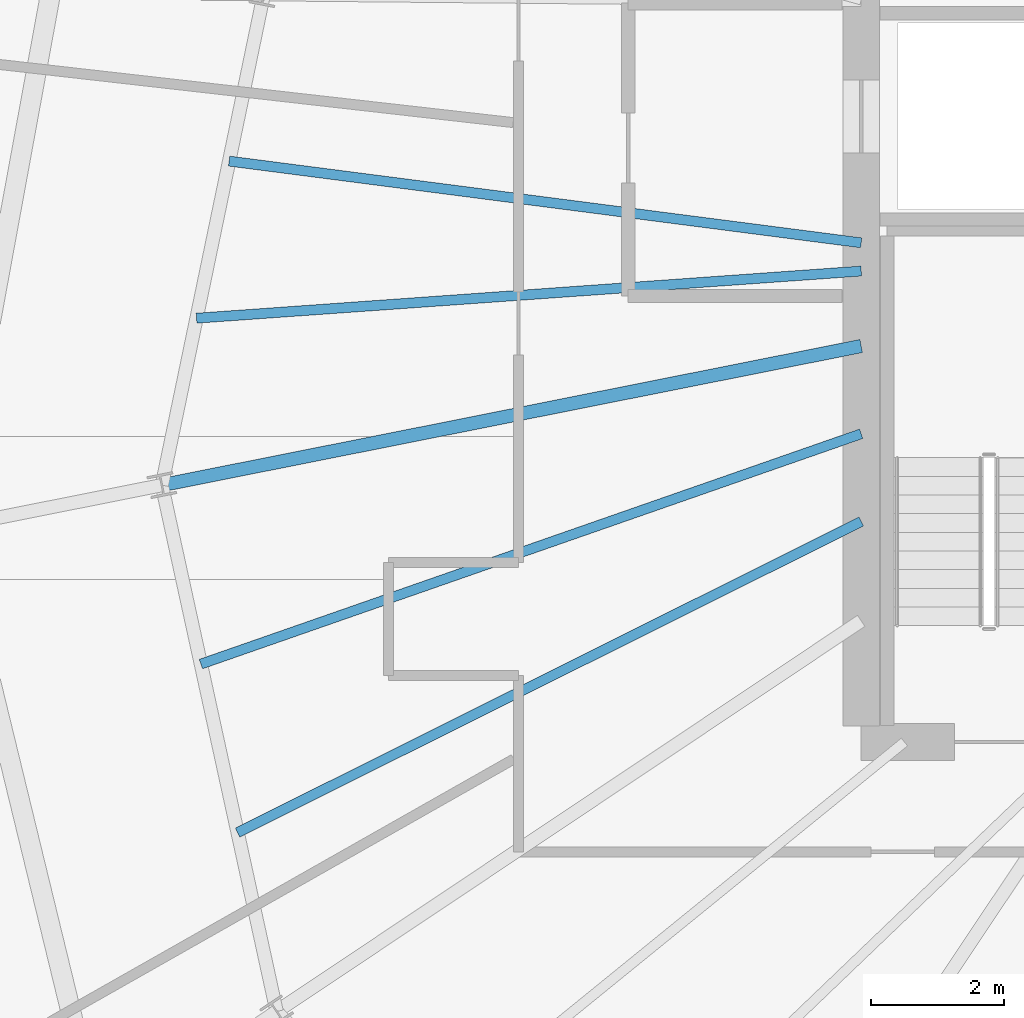
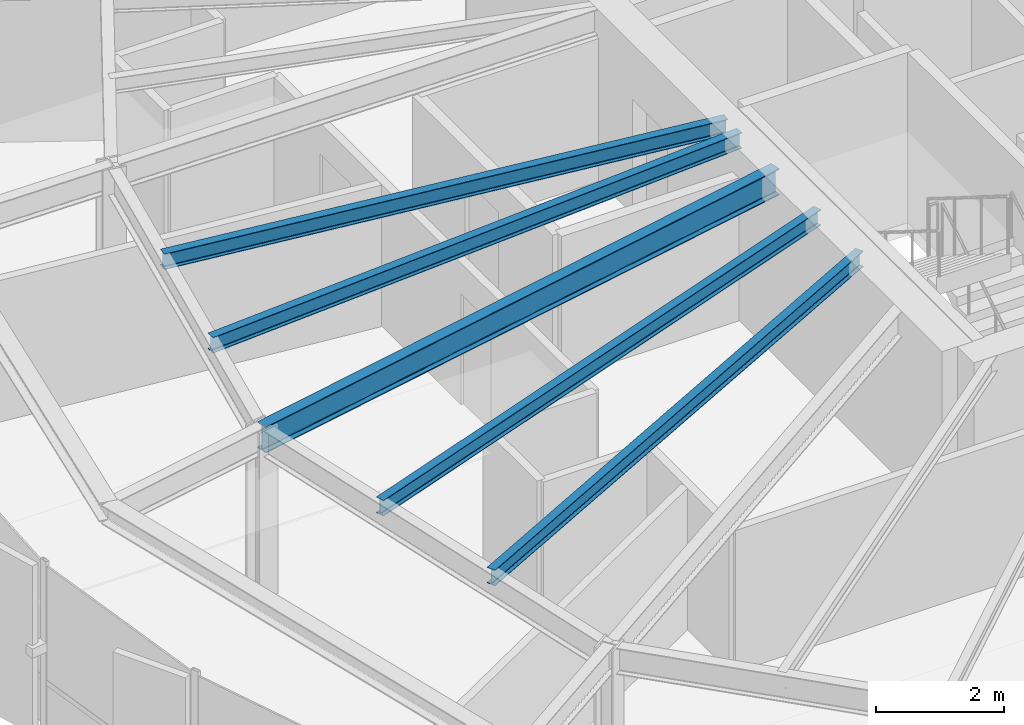
# One storey, part 10 of 34: 5 beams.
"""IFC4 building model written with IfcOpenShell, lengths in metres."""

from ifc_helpers import new_model, si_unit, direction, frame, origin, origin_2d, place, context, subcontext, project, spatial, i_section, extrude, source, transform, mapped, material, material_profile, profile_set, type_object, element, save


model = new_model("IFC4")

# Units and contexts
model_context = context("Model", 3, precision=1e-05, world=origin(), true_north=direction((0.0, 1.0)))
body_context = subcontext(model_context, "Body", "Model", "MODEL_VIEW")
ifc_project = project(units=[si_unit("LENGTHUNIT", "METRE"), si_unit("AREAUNIT", "SQUARE_METRE"), si_unit("VOLUMEUNIT", "CUBIC_METRE"), si_unit("PLANEANGLEUNIT", "RADIAN"), si_unit("MASSUNIT", "GRAM", prefix="KILO"), si_unit("THERMODYNAMICTEMPERATUREUNIT", "KELVIN")], contexts=[model_context])

# Site, building, storey
site_placement = place(None, origin())
site = spatial("IfcSite", under=ifc_project, at=site_placement, CompositionType="ELEMENT")
building_placement = place(site_placement, origin())
building = spatial("IfcBuilding", under=site, at=building_placement, Name="Kethvar Cultural Tower", CompositionType="ELEMENT")
storey_placement = place(building_placement, frame((0.0, 0.0, 186.89990234375)))
storey = spatial("IfcBuildingStorey", under=building, at=storey_placement, Name="L48", CompositionType="ELEMENT", Elevation=186.89990234375)

# Beams
ifc_material = material(Name="Steel S355J2", Category="steel")
ifc_material_profile_1 = material_profile(ifc_material, i_section(OverallWidth=0.199951171875, OverallDepth=0.5, WebThickness=0.01025390625, FlangeThickness=0.01611328125, FilletRadius=0.02099609375, at=origin_2d()), Name="Steel S355J2 — IPE500")
ifc_profile_set_1 = profile_set([ifc_material_profile_1], Name="Steel S355J2 — IPE500")
beam_type_1 = type_object("IfcBeamType", Name="BM-IPE500", PredefinedType="BEAM", material=ifc_profile_set_1)
shared_shape_1 = source(origin(), body_context, "Body", "SweptSolid", [
    extrude(i_section(OverallWidth=0.199951171875, OverallDepth=0.5, WebThickness=0.01025390625, FlangeThickness=0.01611328125, FilletRadius=0.02099609375, at=origin_2d()), origin(), (0.0, 0.0, 1.0), 10.712890625),
])
beam_1_placement = place(storey_placement, frame((38.0, 26.049560546875, 3.008056640625), z_axis=(-0.980787859831, -0.195077353908, 0.0), x_axis=(0.195077353908, -0.980787859831, 0.0)))
element("IfcBeam", 1, at=beam_1_placement, inside=storey, type_object=beam_type_1, Name="L48 Primary Radial Beam RB-09", PredefinedType="BEAM", context=body_context, shape_type="MappedRepresentation", body=[
    mapped(shared_shape_1, transform((0.0, 0.0, 0.0), scale=1.0)),
])
ifc_material_profile_2 = material_profile(ifc_material, i_section(OverallWidth=0.14990234375, OverallDepth=0.300048828125, WebThickness=0.007080078125, FlangeThickness=0.0107421875, FilletRadius=0.014892578125, at=origin_2d()), Name="Steel S355J2 — IPE300")
ifc_profile_set_2 = profile_set([ifc_material_profile_2], Name="Steel S355J2 — IPE300")
beam_type_2 = type_object("IfcBeamType", Name="BM-J300", PredefinedType="JOIST", material=ifc_profile_set_2)
shared_shape_2 = source(origin(), body_context, "Body", "SweptSolid", [
    extrude(i_section(OverallWidth=0.14990234375, OverallDepth=0.300048828125, WebThickness=0.007080078125, FlangeThickness=0.0107421875, FilletRadius=0.014892578125, at=origin_2d()), origin(), (0.0, 0.0, 1.0), 9.5751953125),
])
beam_2_placement = place(storey_placement, frame((38.0, 27.60009765625, 3.108154296875), z_axis=(-0.991744950922, 0.128226176424, 0.0), x_axis=(-0.128226176424, -0.991744950922, 0.0)))
element("IfcBeam", 2, at=beam_2_placement, inside=storey, type_object=beam_type_2, Name="L48 Composite Floor Joist J-08A", PredefinedType="JOIST", context=body_context, shape_type="MappedRepresentation", body=[
    mapped(shared_shape_2, transform((0.0, 0.0, 0.0), scale=1.0)),
])
shared_shape_3 = source(origin(), body_context, "Body", "SweptSolid", [
    extrude(i_section(OverallWidth=0.14990234375, OverallDepth=0.300048828125, WebThickness=0.007080078125, FlangeThickness=0.0107421875, FilletRadius=0.014892578125, at=origin_2d()), origin(), (0.0, 0.0, 1.0), 10.01123046875),
])
beam_3_placement = place(storey_placement, frame((38.0, 27.17578125, 3.108154296875), z_axis=(-0.997494349679, -0.070746182637, 0.0), x_axis=(0.070746182637, -0.997494349679, 0.0)))
element("IfcBeam", 3, at=beam_3_placement, inside=storey, type_object=beam_type_2, Name="L48 Composite Floor Joist J-08B", PredefinedType="JOIST", context=body_context, shape_type="MappedRepresentation", body=[
    mapped(shared_shape_3, transform((0.0, 0.0, 0.0), scale=1.0)),
])
shared_shape_4 = source(origin(), body_context, "Body", "SweptSolid", [
    extrude(i_section(OverallWidth=0.14990234375, OverallDepth=0.300048828125, WebThickness=0.007080078125, FlangeThickness=0.0107421875, FilletRadius=0.014892578125, at=origin_2d()), origin(), (0.0, 0.0, 1.0), 10.506591796875),
])
beam_4_placement = place(storey_placement, frame((38.0, 24.73095703125, 3.108154296875), z_axis=(-0.944221858738, -0.329310008171, 0.0), x_axis=(0.329310008171, -0.944221858738, 0.0)))
element("IfcBeam", 4, at=beam_4_placement, inside=storey, type_object=beam_type_2, Name="L48 Composite Floor Joist J-09A", PredefinedType="JOIST", context=body_context, shape_type="MappedRepresentation", body=[
    mapped(shared_shape_4, transform((0.0, 0.0, 0.0), scale=1.0)),
])
shared_shape_5 = source(origin(), body_context, "Body", "SweptSolid", [
    extrude(i_section(OverallWidth=0.14990234375, OverallDepth=0.300048828125, WebThickness=0.007080078125, FlangeThickness=0.0107421875, FilletRadius=0.014892578125, at=origin_2d()), origin(), (0.0, 0.0, 1.0), 10.468994140625),
])
beam_5_placement = place(storey_placement, frame((38.0, 23.412109375, 3.108154296875), z_axis=(-0.894916380948, -0.446233874904, 0.0), x_axis=(0.446233874904, -0.894916380948, 0.0)))
element("IfcBeam", 5, at=beam_5_placement, inside=storey, type_object=beam_type_2, Name="L48 Composite Floor Joist J-09B", PredefinedType="JOIST", context=body_context, shape_type="MappedRepresentation", body=[
    mapped(shared_shape_5, transform((0.0, 0.0, 0.0), scale=1.0)),
])

save(model, "model.ifc")
